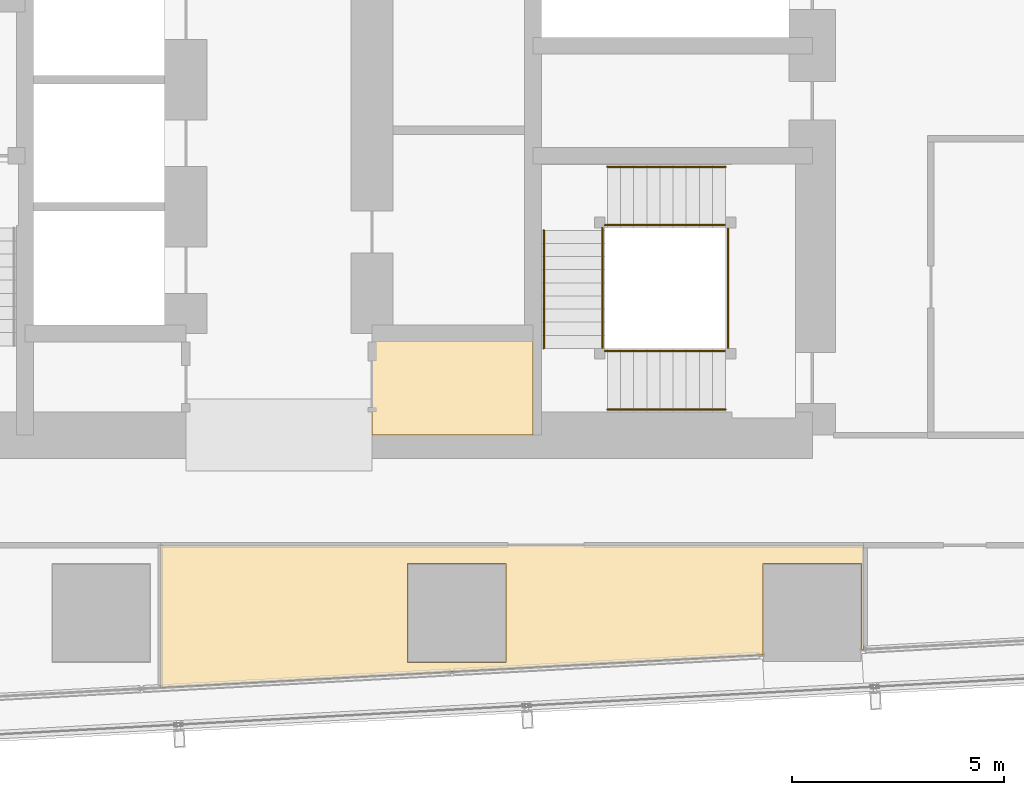
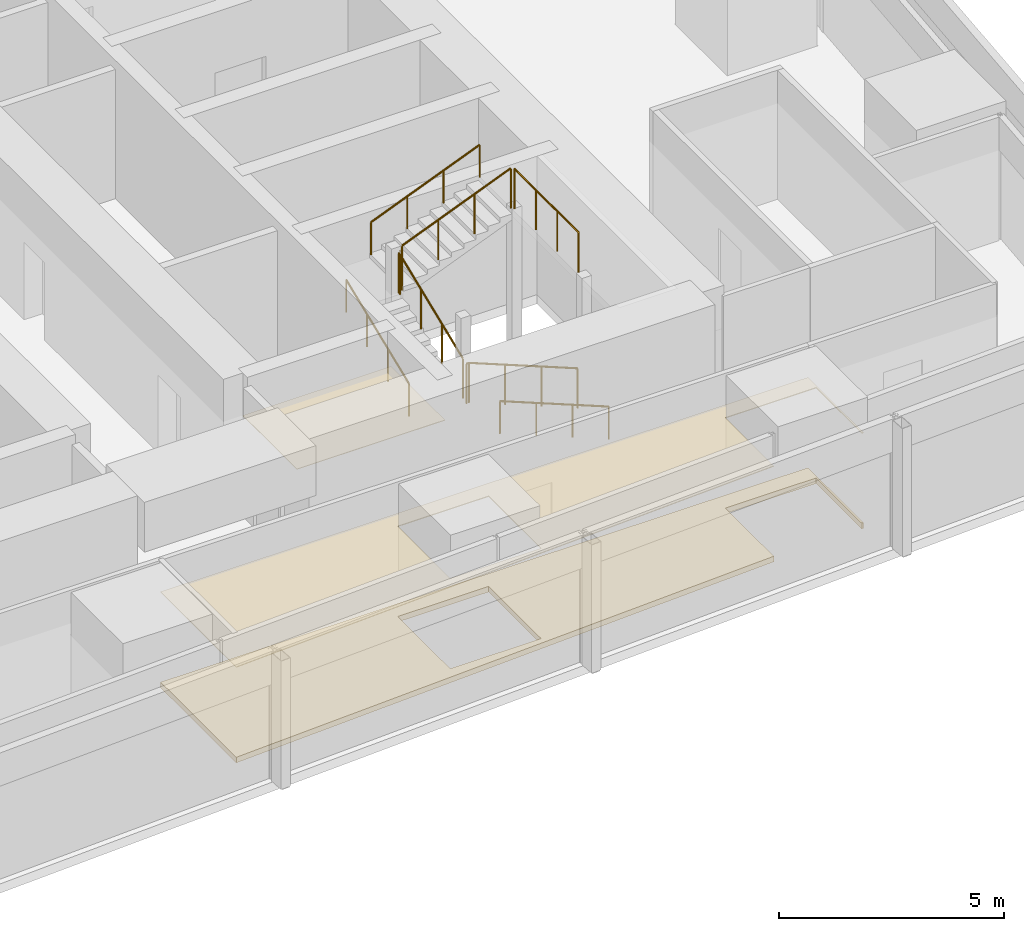
# One storey, part 29 of 32: 10 railings, 3 coverings.
"""IFC4 building model written with IfcOpenShell, lengths in metres."""

from ifc_helpers import new_model, si_unit, direction, frame, origin, origin_2d, place, context, subcontext, project, spatial, polyline, circle, outline, extrude, material, layer, layer_set, type_object, element, save


model = new_model("IFC4")

# Units and contexts
model_context = context("Model", 3, precision=1e-05, world=origin(), true_north=direction((0.0, 1.0)))
body_context = subcontext(model_context, "Body", "Model", "MODEL_VIEW")
ifc_project = project(units=[si_unit("LENGTHUNIT", "METRE"), si_unit("AREAUNIT", "SQUARE_METRE"), si_unit("VOLUMEUNIT", "CUBIC_METRE"), si_unit("PLANEANGLEUNIT", "RADIAN"), si_unit("MASSUNIT", "GRAM", prefix="KILO")], contexts=[model_context])

# Site, building, storey
site_placement = place(None, origin())
site = spatial("IfcSite", under=ifc_project, at=site_placement, CompositionType="ELEMENT")
building_placement = place(site_placement, origin())
building = spatial("IfcBuilding", under=site, at=building_placement, Name="Rekha Terrace Tower", CompositionType="ELEMENT")
storey_placement = place(building_placement, frame((0.0, 0.0, 250.10009765625)))
storey = spatial("IfcBuildingStorey", under=building, at=storey_placement, Name="L63", CompositionType="ELEMENT", Elevation=250.10009765625)

# Coverings
ifc_material_1 = material(Name="Mineral fibre tile in exposed grid", Category="finish")
ifc_layer_1 = layer(ifc_material_1, 0.02001953125)
ifc_layer_set_1 = layer_set([ifc_layer_1], Name="Mineral fibre tile in exposed grid")
covering_type_1 = type_object("IfcCoveringType", Name="CL1 600x1200 office grid ceiling", PredefinedType="CEILING", material=ifc_layer_set_1)
covering_1_placement = place(storey_placement, frame((0.0, 0.0, 2.579833984375)))
element("IfcCovering", 1, at=covering_1_placement, inside=storey, type_object=covering_type_1, Name="Ceiling L63-07", PredefinedType="CEILING", context=body_context, shape_type="SweptSolid", body=[
    extrude(outline(polyline([(51.60791015625, 18.39990234375), (35.00390625, 18.39990234375), (35.00390625, 15.037109375), (41.888916015625, 15.412109375), (49.031005859375, 15.800048828125), (49.235107421875, 15.81103515625), (49.235107421875, 17.965087890625), (51.56494140625, 17.965087890625), (51.56494140625, 15.93896484375), (51.60791015625, 15.94091796875), (51.60791015625, 18.39990234375)]), holes=[polyline([(43.1650390625, 17.965087890625), (43.1650390625, 15.635009765625), (40.8349609375, 15.635009765625), (40.8349609375, 17.965087890625), (43.1650390625, 17.965087890625)])]), origin(), (0.0, 0.0, 1.0), 0.02001953125),
])
ifc_material_2 = material(Name="Fibre cement board", Category="finish")
ifc_layer_2 = layer(ifc_material_2, 0.014892578125)
ifc_layer_set_2 = layer_set([ifc_layer_2], Name="Fibre cement board")
covering_type_2 = type_object("IfcCoveringType", Name="CL2 moisture-resistant board ceiling", PredefinedType="CEILING", material=ifc_layer_set_2)
covering_2_placement = place(storey_placement, frame((0.0, 0.0, 2.5849609375)))
element("IfcCovering", 2, at=covering_2_placement, inside=storey, type_object=covering_type_2, Name="Ceiling L63-WCA", PredefinedType="CEILING", context=body_context, shape_type="SweptSolid", body=[
    extrude(outline(polyline([(43.800048828125, 23.39990234375), (40.0, 23.39990234375), (40.0, 21.0), (43.800048828125, 21.0), (43.800048828125, 23.39990234375)])), origin(), (0.0, 0.0, 1.0), 0.014892578125),
])

# Railings
ifc_material_3 = material(Name="Stainless steel balustrade", Category="steel")
railing_type_1 = type_object("IfcRailingType", Name="GR1 1100 stair guard", PredefinedType="GUARDRAIL", material=ifc_material_3)
railing_1_placement = place(storey_placement, frame((48.35009765625, 22.989990234375, 0.125)))
element("IfcRailing", 3, at=railing_1_placement, inside=storey, type_object=railing_type_1, Name="Guard ST3 L63 flight 1", PredefinedType="GUARDRAIL", context=body_context, shape_type="SweptSolid", body=[
    extrude(circle(Radius=0.02392578125, at=origin_2d()), frame((0.0, 0.0, 1.076171875), z_axis=(-0.927443287984, 0.0, 0.373963831907), x_axis=(0.0, -1.0, 0.0)), (0.0, 0.0, 1.0), 3.00830078125),
    extrude(circle(Radius=0.02099609375, at=origin_2d()), origin(), (0.0, 0.0, 1.0), 1.052001953125),
    extrude(circle(Radius=0.02099609375, at=origin_2d()), frame((-0.929931640625, 0.0, 0.375)), (0.0, 0.0, 1.0), 1.052001953125),
    extrude(circle(Radius=0.02099609375, at=origin_2d()), frame((-1.860107421875, 0.0, 0.75)), (0.0, 0.0, 1.0), 1.052001953125),
    extrude(circle(Radius=0.02099609375, at=origin_2d()), frame((-2.7900390625, 0.0, 1.125)), (0.0, 0.0, 1.0), 1.052001953125),
])
railing_2_placement = place(storey_placement, frame((45.43994140625, 23.050048828125, 1.375)))
element("IfcRailing", 4, at=railing_2_placement, inside=storey, type_object=railing_type_1, Name="Guard ST3 L63 flight 2", PredefinedType="GUARDRAIL", context=body_context, shape_type="SweptSolid", body=[
    extrude(circle(Radius=0.02392578125, at=origin_2d()), frame((0.0, 0.0, 1.076171875), z_axis=(0.0, 0.927443287984, 0.373963831907), x_axis=(-1.0, 0.0, 0.0)), (0.0, 0.0, 1.0), 3.00830078125),
    extrude(circle(Radius=0.02099609375, at=origin_2d()), origin(), (0.0, 0.0, 1.0), 1.052001953125),
    extrude(circle(Radius=0.02099609375, at=origin_2d()), frame((0.0, 0.929931640625, 0.375)), (0.0, 0.0, 1.0), 1.052001953125),
    extrude(circle(Radius=0.02099609375, at=origin_2d()), frame((0.0, 1.860107421875, 0.75)), (0.0, 0.0, 1.0), 1.052001953125),
    extrude(circle(Radius=0.02099609375, at=origin_2d()), frame((0.0, 2.7900390625, 1.125)), (0.0, 0.0, 1.0), 1.052001953125),
])
railing_3_placement = place(storey_placement, frame((45.56005859375, 25.9599609375, 2.625)))
element("IfcRailing", 5, at=railing_3_placement, inside=storey, type_object=railing_type_1, Name="Guard ST3 L63 flight 3", PredefinedType="GUARDRAIL", context=body_context, shape_type="SweptSolid", body=[
    extrude(circle(Radius=0.02392578125, at=origin_2d()), frame((0.0, 0.0, 1.076171875), z_axis=(0.927443287984, 0.0, 0.373963831907), x_axis=(0.0, 1.0, 0.0)), (0.0, 0.0, 1.0), 3.00830078125),
    extrude(circle(Radius=0.02099609375, at=origin_2d()), origin(), (0.0, 0.0, 1.0), 1.052001953125),
    extrude(circle(Radius=0.02099609375, at=origin_2d()), frame((0.929931640625, 0.0, 0.375)), (0.0, 0.0, 1.0), 1.052001953125),
    extrude(circle(Radius=0.02099609375, at=origin_2d()), frame((1.860107421875, 0.0, 0.75)), (0.0, 0.0, 1.0), 1.052001953125),
    extrude(circle(Radius=0.02099609375, at=origin_2d()), frame((2.7900390625, 0.0, 1.125)), (0.0, 0.0, 1.0), 1.052001953125),
])
railing_4_placement = place(storey_placement, frame((45.56005859375, 22.989990234375, 1.25)))
element("IfcRailing", 6, at=railing_4_placement, inside=storey, type_object=railing_type_1, Name="Guard ST3 L63 landing 1", PredefinedType="GUARDRAIL", context=body_context, shape_type="SweptSolid", body=[
    extrude(circle(Radius=0.02392578125, at=origin_2d()), frame((0.0, 0.0, 1.076171875), z_axis=(-1.0, 0.0, 0.0), x_axis=(0.0, -1.0, 0.0)), (0.0, 0.0, 1.0), 0.06005859375),
    extrude(circle(Radius=0.02099609375, at=origin_2d()), origin(), (0.0, 0.0, 1.0), 1.052001953125),
    extrude(circle(Radius=0.02099609375, at=origin_2d()), frame((-0.06005859375, 0.0, 0.0)), (0.0, 0.0, 1.0), 1.052001953125),
])
railing_5_placement = place(storey_placement, frame((45.43994140625, 25.840087890625, 2.5)))
element("IfcRailing", 7, at=railing_5_placement, inside=storey, type_object=railing_type_1, Name="Guard ST3 L63 landing 2", PredefinedType="GUARDRAIL", context=body_context, shape_type="SweptSolid", body=[
    extrude(circle(Radius=0.02392578125, at=origin_2d()), frame((0.0, 0.0, 1.076171875), z_axis=(0.0, 1.0, 0.0), x_axis=(-1.0, 0.0, 0.0)), (0.0, 0.0, 1.0), 0.059814453125),
    extrude(circle(Radius=0.02099609375, at=origin_2d()), origin(), (0.0, 0.0, 1.0), 1.052001953125),
    extrude(circle(Radius=0.02099609375, at=origin_2d()), frame((0.0, 0.059814453125, 0.0)), (0.0, 0.0, 1.0), 1.052001953125),
])
railing_6_placement = place(storey_placement, frame((45.56005859375, 25.9599609375, 2.5)))
element("IfcRailing", 8, at=railing_6_placement, inside=storey, type_object=railing_type_1, Name="Guard ST3 L63 landing 3", PredefinedType="GUARDRAIL", context=body_context, shape_type="SweptSolid", body=[
    extrude(circle(Radius=0.02392578125, at=origin_2d()), frame((0.0, 0.0, 1.076171875), z_axis=(-1.0, 0.0, 0.0), x_axis=(0.0, -1.0, 0.0)), (0.0, 0.0, 1.0), 0.06005859375),
    extrude(circle(Radius=0.02099609375, at=origin_2d()), origin(), (0.0, 0.0, 1.0), 1.052001953125),
    extrude(circle(Radius=0.02099609375, at=origin_2d()), frame((-0.06005859375, 0.0, 0.0)), (0.0, 0.0, 1.0), 1.052001953125),
])
railing_7_placement = place(storey_placement, frame((48.409912109375, 23.050048828125, 3.75)))
element("IfcRailing", 9, at=railing_7_placement, inside=storey, type_object=railing_type_1, Name="Guard ST3 L63 landing 4", PredefinedType="GUARDRAIL", context=body_context, shape_type="SweptSolid", body=[
    extrude(circle(Radius=0.02392578125, at=origin_2d()), frame((0.0, 0.0, 1.076171875), z_axis=(0.0, 1.0, 0.0), x_axis=(-1.0, 0.0, 0.0)), (0.0, 0.0, 1.0), 2.849853515625),
    extrude(circle(Radius=0.02099609375, at=origin_2d()), origin(), (0.0, 0.0, 1.0), 1.052001953125),
    extrude(circle(Radius=0.02099609375, at=origin_2d()), frame((0.0, 0.949951171875, 0.0)), (0.0, 0.0, 1.0), 1.052001953125),
    extrude(circle(Radius=0.02099609375, at=origin_2d()), frame((0.0, 1.89990234375, 0.0)), (0.0, 0.0, 1.0), 1.052001953125),
    extrude(circle(Radius=0.02099609375, at=origin_2d()), frame((0.0, 2.849853515625, 0.0)), (0.0, 0.0, 1.0), 1.052001953125),
])
ifc_material_4 = material(Name="Stainless steel tube", Category="steel")
railing_type_2 = type_object("IfcRailingType", Name="HR1 900 stair handrail", PredefinedType="HANDRAIL", material=ifc_material_4)
railing_8_placement = place(storey_placement, frame((48.35009765625, 21.610107421875, 0.125)))
element("IfcRailing", 10, at=railing_8_placement, inside=storey, type_object=railing_type_2, Name="Handrail ST3 L63 flight 1", PredefinedType="HANDRAIL", context=body_context, shape_type="SweptSolid", body=[
    extrude(circle(Radius=0.02392578125, at=origin_2d()), frame((0.0, 0.0, 0.8759765625), z_axis=(-0.927443287984, 0.0, 0.373963831907), x_axis=(0.0, -1.0, 0.0)), (0.0, 0.0, 1.0), 3.00830078125),
    extrude(circle(Radius=0.02099609375, at=origin_2d()), origin(), (0.0, 0.0, 1.0), 0.851806640625),
    extrude(circle(Radius=0.02099609375, at=origin_2d()), frame((-0.929931640625, 0.0, 0.375)), (0.0, 0.0, 1.0), 0.851806640625),
    extrude(circle(Radius=0.02099609375, at=origin_2d()), frame((-1.860107421875, 0.0, 0.75)), (0.0, 0.0, 1.0), 0.851806640625),
    extrude(circle(Radius=0.02099609375, at=origin_2d()), frame((-2.7900390625, 0.0, 1.125)), (0.0, 0.0, 1.0), 0.851806640625),
])
railing_9_placement = place(storey_placement, frame((44.06005859375, 23.050048828125, 1.375)))
element("IfcRailing", 11, at=railing_9_placement, inside=storey, type_object=railing_type_2, Name="Handrail ST3 L63 flight 2", PredefinedType="HANDRAIL", context=body_context, shape_type="SweptSolid", body=[
    extrude(circle(Radius=0.02392578125, at=origin_2d()), frame((0.0, 0.0, 0.8759765625), z_axis=(0.0, 0.927443287984, 0.373963831907), x_axis=(-1.0, 0.0, 0.0)), (0.0, 0.0, 1.0), 3.00830078125),
    extrude(circle(Radius=0.02099609375, at=origin_2d()), origin(), (0.0, 0.0, 1.0), 0.851806640625),
    extrude(circle(Radius=0.02099609375, at=origin_2d()), frame((0.0, 0.929931640625, 0.375)), (0.0, 0.0, 1.0), 0.851806640625),
    extrude(circle(Radius=0.02099609375, at=origin_2d()), frame((0.0, 1.860107421875, 0.75)), (0.0, 0.0, 1.0), 0.851806640625),
    extrude(circle(Radius=0.02099609375, at=origin_2d()), frame((0.0, 2.7900390625, 1.125)), (0.0, 0.0, 1.0), 0.851806640625),
])
railing_10_placement = place(storey_placement, frame((45.56005859375, 27.340087890625, 2.625)))
element("IfcRailing", 12, at=railing_10_placement, inside=storey, type_object=railing_type_2, Name="Handrail ST3 L63 flight 3", PredefinedType="HANDRAIL", context=body_context, shape_type="SweptSolid", body=[
    extrude(circle(Radius=0.02392578125, at=origin_2d()), frame((0.0, 0.0, 0.8759765625), z_axis=(0.927443287984, 0.0, 0.373963831907), x_axis=(0.0, 1.0, 0.0)), (0.0, 0.0, 1.0), 3.00830078125),
    extrude(circle(Radius=0.02099609375, at=origin_2d()), origin(), (0.0, 0.0, 1.0), 0.851806640625),
    extrude(circle(Radius=0.02099609375, at=origin_2d()), frame((0.929931640625, 0.0, 0.375)), (0.0, 0.0, 1.0), 0.851806640625),
    extrude(circle(Radius=0.02099609375, at=origin_2d()), frame((1.860107421875, 0.0, 0.75)), (0.0, 0.0, 1.0), 0.851806640625),
    extrude(circle(Radius=0.02099609375, at=origin_2d()), frame((2.7900390625, 0.0, 1.125)), (0.0, 0.0, 1.0), 0.851806640625),
])

# Covering
ifc_material_5 = material(Name="Calcium sulphate panels on steel pedestals", Category="steel")
ifc_layer_3 = layer(ifc_material_5, 0.14990234375)
ifc_layer_set_3 = layer_set([ifc_layer_3], Name="Calcium sulphate panels on steel pedestals")
covering_type_3 = type_object("IfcCoveringType", Name="RF1 150 raised access floor", PredefinedType="FLOORING", material=ifc_layer_set_3)
covering_3_placement = place(storey_placement, origin())
element("IfcCovering", 13, at=covering_3_placement, inside=storey, type_object=covering_type_3, Name="Raised floor L63-07", PredefinedType="FLOORING", context=body_context, shape_type="SweptSolid", body=[
    extrude(outline(polyline([(51.60791015625, 18.39990234375), (35.00390625, 18.39990234375), (35.00390625, 15.037109375), (41.888916015625, 15.412109375), (49.031005859375, 15.800048828125), (49.235107421875, 15.81103515625), (49.235107421875, 17.965087890625), (51.56494140625, 17.965087890625), (51.56494140625, 15.93896484375), (51.60791015625, 15.94091796875), (51.60791015625, 18.39990234375)]), holes=[polyline([(43.1650390625, 17.965087890625), (43.1650390625, 15.635009765625), (40.8349609375, 15.635009765625), (40.8349609375, 17.965087890625), (43.1650390625, 17.965087890625)])]), origin(), (0.0, 0.0, 1.0), 0.14990234375),
])

save(model, "model.ifc")
